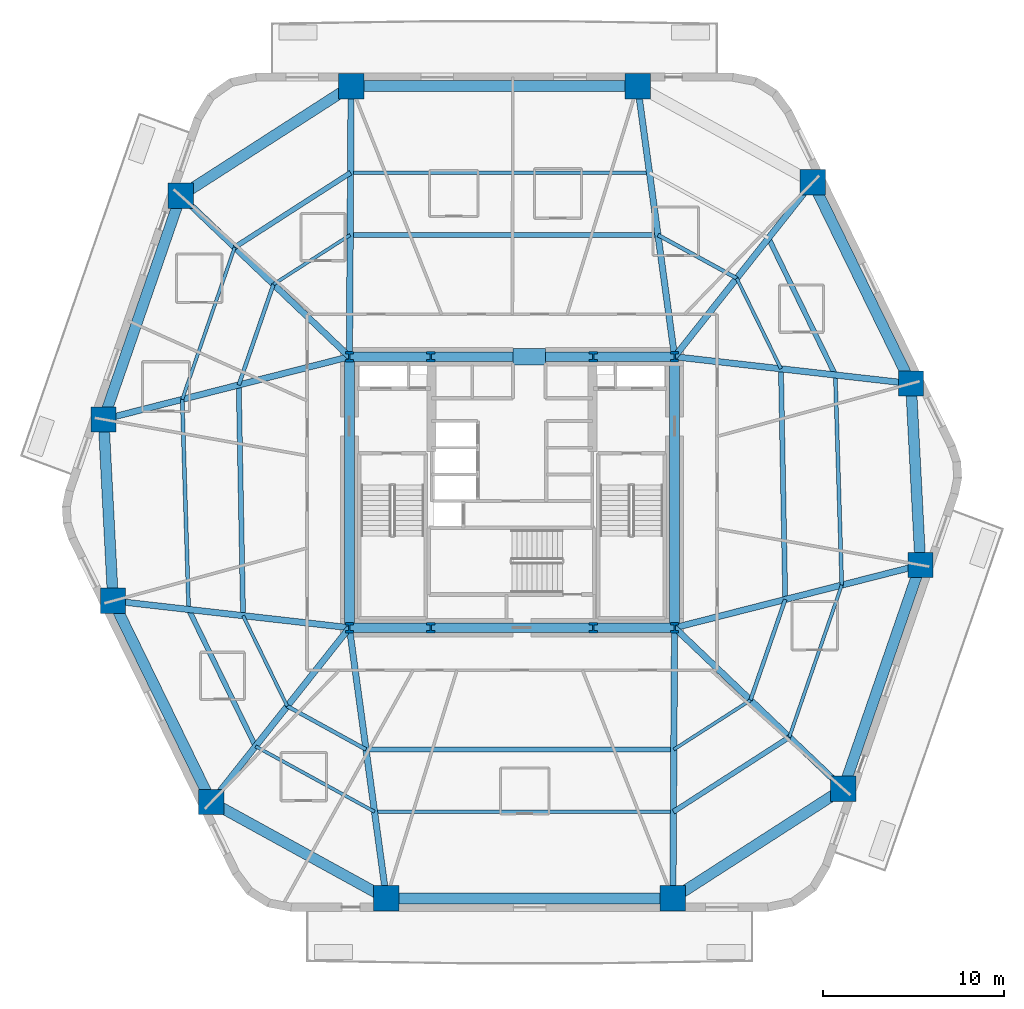
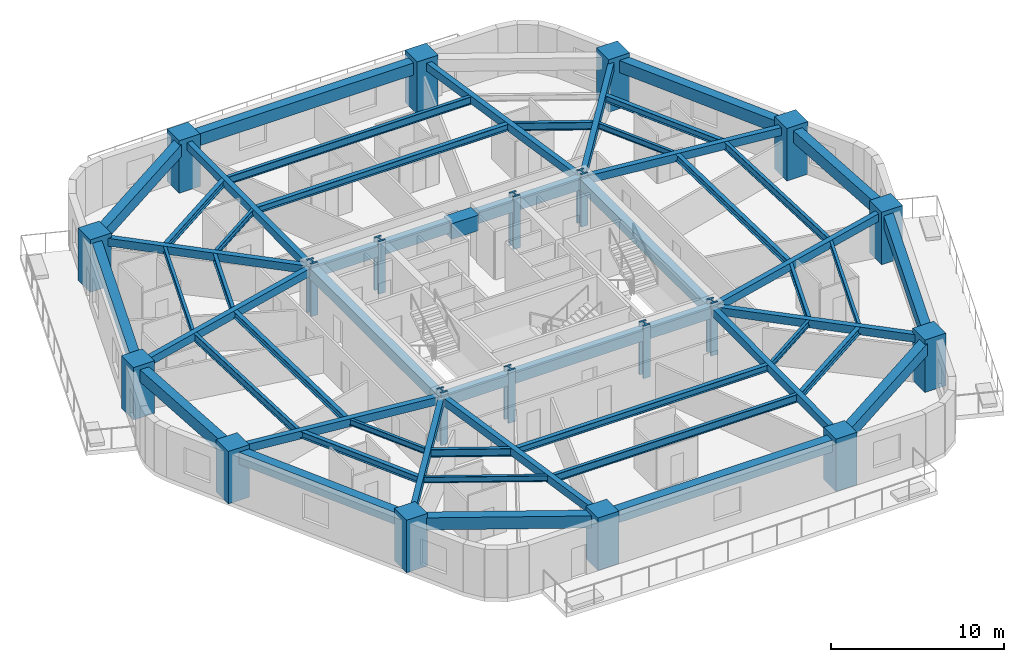
# One storey, part 1 of 10: 55 beams, 20 columns.
"""IFC4 building model written with IfcOpenShell, lengths in metres."""

from ifc_helpers import new_model, si_unit, direction, frame, origin, origin_2d, place, context, subcontext, project, spatial, rectangle, i_section, extrude, material, material_profile, profile_set, type_object, element, save


model = new_model("IFC4")

# Units and contexts
model_context = context("Model", 3, precision=1e-05, world=origin(), true_north=direction((0.0, 1.0)))
body_context = subcontext(model_context, "Body", "Model", "MODEL_VIEW")
ifc_project = project(units=[si_unit("LENGTHUNIT", "METRE"), si_unit("AREAUNIT", "SQUARE_METRE"), si_unit("VOLUMEUNIT", "CUBIC_METRE"), si_unit("PLANEANGLEUNIT", "RADIAN"), si_unit("MASSUNIT", "GRAM", prefix="KILO")], contexts=[model_context])

# Site, building, storey
site_placement = place(None, origin())
site = spatial("IfcSite", under=ifc_project, at=site_placement, CompositionType="ELEMENT")
building_placement = place(site_placement, origin())
building = spatial("IfcBuilding", under=site, at=building_placement, Name="Kilnhurst Terrace Hotel", CompositionType="ELEMENT")
storey_placement = place(building_placement, frame((0.0, 0.0, 74.89990234375)))
storey = spatial("IfcBuildingStorey", under=building, at=storey_placement, Name="L17", CompositionType="ELEMENT", Elevation=74.89990234375)

# Columns
ifc_material_1 = material(Name="Concrete C80/95", Category="concrete")
ifc_material_profile_1 = material_profile(ifc_material_1, rectangle(XDim=1.39990234375, YDim=1.39990234375, at=origin_2d()), Name="RC1400X1400")
ifc_profile_set_1 = profile_set([ifc_material_profile_1], Name="Concrete C80/95")
column_type_1 = type_object("IfcColumnType", Name="COL-RC-1400", PredefinedType="COLUMN", material=ifc_profile_set_1)
for number, where, z_axis, x_axis, name in (
    (1, (-6.955078125, -22.47998046875, 0.0), (0.0, 0.0, 1.0), (1.0, 0.0, 0.0), "L17 Structural Column PC-F11"),
    (2, (8.905029296875, -22.47998046875, 0.0), (0.0, 0.0, 1.0), (1.0, 0.0, 0.0), "L17 Structural Column PC-F12"),
    (3, (18.337890625, -16.410888671875, 0.0), (0.0, 0.0, 1.0), (1.0, 0.0, 0.0), "L17 Structural Column PC-F21"),
    (4, (22.60888671875, -4.029052734375, 0.0), (0.0, 0.0, 1.0), (1.0, 0.0, 0.0), "L17 Structural Column PC-F22"),
    (5, (22.083984375, 6.013916015625, 0.0), (0.0, 0.0, 1.0), (1.0, 0.0, 0.0), "L17 Structural Column PC-F31"),
    (6, (16.64306640625, 17.152099609375, 0.0), (0.0, 0.0, 1.0), (1.0, 0.0, 0.0), "L17 Structural Column PC-F32"),
    (7, (6.955078125, 22.47998046875, 0.0), (0.0, 0.0, 1.0), (1.0, 0.0, 0.0), "L17 Structural Column PC-F41"),
    (8, (-8.905029296875, 22.47998046875, 0.0), (0.0, 0.0, 1.0), (1.0, 0.0, 0.0), "L17 Structural Column PC-F42"),
    (9, (-18.337890625, 16.410888671875, 0.0), (0.0, 0.0, 1.0), (1.0, 0.0, 0.0), "L17 Structural Column PC-F51"),
    (10, (-22.60888671875, 4.029052734375, 0.0), (0.0, 0.0, 1.0), (1.0, 0.0, 0.0), "L17 Structural Column PC-F52"),
    (11, (-22.083984375, -6.013916015625, 0.0), (0.0, 0.0, 1.0), (1.0, 0.0, 0.0), "L17 Structural Column PC-F61"),
    (12, (-16.64306640625, -17.152099609375, 0.0), (0.0, 0.0, 1.0), (1.0, 0.0, 0.0), "L17 Structural Column PC-F62"),
):
    element("IfcColumn", number, at=place(storey_placement, frame(where, z_axis=z_axis, x_axis=x_axis)), inside=storey, type_object=column_type_1, Name=name, PredefinedType="COLUMN", context=body_context, shape_type="SweptSolid", body=[
        extrude(rectangle(XDim=1.39990234375, YDim=1.39990234375, at=origin_2d()), origin(), (0.0, 0.0, 1.0), 3.7001953125),
    ])
ifc_material_2 = material(Name="Steel ASTM A992 Grade 50", Category="steel")
ifc_material_profile_2 = material_profile(ifc_material_2, i_section(OverallWidth=0.454345703125, OverallDepth=0.569091796875, WebThickness=0.077880859375, FlangeThickness=0.124755859375, at=origin_2d()), Name="W14X730")
ifc_profile_set_2 = profile_set([ifc_material_profile_2], Name="Steel ASTM A992 Grade 50")
column_type_2 = type_object("IfcColumnType", Name="COL-STL-W14X730", PredefinedType="COLUMN", material=ifc_profile_set_2)
for number, where, z_axis, x_axis, name in (
    (13, (-9.0, -7.5, 0.0), (0.0, 0.0, 1.0), (1.0, 0.0, 0.0), "L17 Structural Column CC-SW"),
    (14, (-4.5, -7.5, 0.0), (0.0, 0.0, 1.0), (1.0, 0.0, 0.0), "L17 Structural Column CC-SC1"),
    (15, (4.5, -7.5, 0.0), (0.0, 0.0, 1.0), (1.0, 0.0, 0.0), "L17 Structural Column CC-SC2"),
    (16, (9.0, -7.5, 0.0), (0.0, 0.0, 1.0), (1.0, 0.0, 0.0), "L17 Structural Column CC-SE"),
    (17, (9.0, 7.5, 0.0), (0.0, 0.0, 1.0), (1.0, 0.0, 0.0), "L17 Structural Column CC-NE"),
    (18, (4.5, 7.5, 0.0), (0.0, 0.0, 1.0), (1.0, 0.0, 0.0), "L17 Structural Column CC-NC2"),
    (19, (-4.5, 7.5, 0.0), (0.0, 0.0, 1.0), (1.0, 0.0, 0.0), "L17 Structural Column CC-NC1"),
    (20, (-9.0, 7.5, 0.0), (0.0, 0.0, 1.0), (1.0, 0.0, 0.0), "L17 Structural Column CC-NW"),
):
    element("IfcColumn", number, at=place(storey_placement, frame(where, z_axis=z_axis, x_axis=x_axis)), inside=storey, type_object=column_type_2, Name=name, PredefinedType="COLUMN", context=body_context, shape_type="SweptSolid", body=[
        extrude(i_section(OverallWidth=0.454345703125, OverallDepth=0.569091796875, WebThickness=0.077880859375, FlangeThickness=0.124755859375, at=origin_2d()), origin(), (0.0, 0.0, 1.0), 3.7001953125),
    ])

# Beams
ifc_material_3 = material(Name="Concrete C50/60", Category="concrete")
ifc_material_profile_3 = material_profile(ifc_material_3, rectangle(XDim=0.35009765625, YDim=0.550048828125, at=origin_2d()), Name="RC350X550")
ifc_profile_set_3 = profile_set([ifc_material_profile_3], Name="Concrete C50/60")
beam_type_1 = type_object("IfcBeamType", Name="BM-RAD-350X550", PredefinedType="BEAM", material=ifc_profile_set_3)
beam_1_placement = place(storey_placement, frame((-9.0, -7.5, 3.125), z_axis=(0.13525588246, -0.990810701527, 0.0), x_axis=(0.990810701527, 0.13525588246, 0.0)))
element("IfcBeam", 21, at=beam_1_placement, inside=storey, type_object=beam_type_1, Name="L17 Radial Floor Beam 1", PredefinedType="BEAM", context=body_context, shape_type="SweptSolid", body=[
    extrude(rectangle(XDim=0.35009765625, YDim=0.550048828125, at=origin_2d()), origin(), (0.0, 0.0, 1.0), 15.118896484375),
])
beam_2_placement = place(storey_placement, frame((9.0, -7.5, 3.125), z_axis=(-0.006339714179, -0.99997990381, 0.0), x_axis=(0.99997990381, -0.006339714179, 0.0)))
element("IfcBeam", 22, at=beam_2_placement, inside=storey, type_object=beam_type_1, Name="L17 Radial Floor Beam 2", PredefinedType="BEAM", context=body_context, shape_type="SweptSolid", body=[
    extrude(rectangle(XDim=0.35009765625, YDim=0.550048828125, at=origin_2d()), origin(), (0.0, 0.0, 1.0), 14.980224609375),
])
beam_3_placement = place(storey_placement, frame((9.0, -7.5, 3.125), z_axis=(0.723454302813, -0.690372270403, 0.0), x_axis=(0.690372270403, 0.723454302813, 0.0)))
element("IfcBeam", 23, at=beam_3_placement, inside=storey, type_object=beam_type_1, Name="L17 Radial Floor Beam 3", PredefinedType="BEAM", context=body_context, shape_type="SweptSolid", body=[
    extrude(rectangle(XDim=0.35009765625, YDim=0.550048828125, at=origin_2d()), origin(), (0.0, 0.0, 1.0), 12.907470703125),
])
beam_4_placement = place(storey_placement, frame((9.0, -7.5, 3.125), z_axis=(0.968980179812, 0.247138445273, 0.0), x_axis=(-0.247138445273, 0.968980179812, 0.0)))
element("IfcBeam", 24, at=beam_4_placement, inside=storey, type_object=beam_type_1, Name="L17 Radial Floor Beam 4", PredefinedType="BEAM", context=body_context, shape_type="SweptSolid", body=[
    extrude(rectangle(XDim=0.35009765625, YDim=0.550048828125, at=origin_2d()), origin(), (0.0, 0.0, 1.0), 14.04443359375),
])
beam_5_placement = place(storey_placement, frame((9.0, 7.5, 3.125), z_axis=(0.993611493249, -0.112854776075, 0.0), x_axis=(0.112854776075, 0.993611493249, 0.0)))
element("IfcBeam", 25, at=beam_5_placement, inside=storey, type_object=beam_type_1, Name="L17 Radial Floor Beam 5", PredefinedType="BEAM", context=body_context, shape_type="SweptSolid", body=[
    extrude(rectangle(XDim=0.35009765625, YDim=0.550048828125, at=origin_2d()), origin(), (0.0, 0.0, 1.0), 13.168212890625),
])
beam_6_placement = place(storey_placement, frame((9.0, 7.5, 3.125), z_axis=(0.62079385707, 0.783973843329, 0.0), x_axis=(-0.783973843329, 0.62079385707, 0.0)))
element("IfcBeam", 26, at=beam_6_placement, inside=storey, type_object=beam_type_1, Name="L17 Radial Floor Beam 6", PredefinedType="BEAM", context=body_context, shape_type="SweptSolid", body=[
    extrude(rectangle(XDim=0.35009765625, YDim=0.550048828125, at=origin_2d()), origin(), (0.0, 0.0, 1.0), 12.311767578125),
])
beam_7_placement = place(storey_placement, frame((9.0, 7.5, 3.125), z_axis=(-0.13525588246, 0.990810701527, 0.0), x_axis=(-0.990810701527, -0.13525588246, 0.0)))
element("IfcBeam", 27, at=beam_7_placement, inside=storey, type_object=beam_type_1, Name="L17 Radial Floor Beam 7", PredefinedType="BEAM", context=body_context, shape_type="SweptSolid", body=[
    extrude(rectangle(XDim=0.35009765625, YDim=0.550048828125, at=origin_2d()), origin(), (0.0, 0.0, 1.0), 15.118896484375),
])
beam_8_placement = place(storey_placement, frame((-9.0, 7.5, 3.125), z_axis=(0.006339714179, 0.99997990381, 0.0), x_axis=(-0.99997990381, 0.006339714179, 0.0)))
element("IfcBeam", 28, at=beam_8_placement, inside=storey, type_object=beam_type_1, Name="L17 Radial Floor Beam 8", PredefinedType="BEAM", context=body_context, shape_type="SweptSolid", body=[
    extrude(rectangle(XDim=0.35009765625, YDim=0.550048828125, at=origin_2d()), origin(), (0.0, 0.0, 1.0), 14.980224609375),
])
beam_9_placement = place(storey_placement, frame((-9.0, 7.5, 3.125), z_axis=(-0.723454302813, 0.690372270403, 0.0), x_axis=(-0.690372270403, -0.723454302813, 0.0)))
element("IfcBeam", 29, at=beam_9_placement, inside=storey, type_object=beam_type_1, Name="L17 Radial Floor Beam 9", PredefinedType="BEAM", context=body_context, shape_type="SweptSolid", body=[
    extrude(rectangle(XDim=0.35009765625, YDim=0.550048828125, at=origin_2d()), origin(), (0.0, 0.0, 1.0), 12.907470703125),
])
beam_10_placement = place(storey_placement, frame((-9.0, 7.5, 3.125), z_axis=(-0.968980179812, -0.247138445273, 0.0), x_axis=(0.247138445273, -0.968980179812, 0.0)))
element("IfcBeam", 30, at=beam_10_placement, inside=storey, type_object=beam_type_1, Name="L17 Radial Floor Beam 10", PredefinedType="BEAM", context=body_context, shape_type="SweptSolid", body=[
    extrude(rectangle(XDim=0.35009765625, YDim=0.550048828125, at=origin_2d()), origin(), (0.0, 0.0, 1.0), 14.04443359375),
])
beam_11_placement = place(storey_placement, frame((-9.0, -7.5, 3.125), z_axis=(-0.993611493249, 0.112854776075, 0.0), x_axis=(-0.112854776075, -0.993611493249, 0.0)))
element("IfcBeam", 31, at=beam_11_placement, inside=storey, type_object=beam_type_1, Name="L17 Radial Floor Beam 11", PredefinedType="BEAM", context=body_context, shape_type="SweptSolid", body=[
    extrude(rectangle(XDim=0.35009765625, YDim=0.550048828125, at=origin_2d()), origin(), (0.0, 0.0, 1.0), 13.168212890625),
])
beam_12_placement = place(storey_placement, frame((-9.0, -7.5, 3.125), z_axis=(-0.62079385707, -0.783973843329, 0.0), x_axis=(0.783973843329, -0.62079385707, 0.0)))
element("IfcBeam", 32, at=beam_12_placement, inside=storey, type_object=beam_type_1, Name="L17 Radial Floor Beam 12", PredefinedType="BEAM", context=body_context, shape_type="SweptSolid", body=[
    extrude(rectangle(XDim=0.35009765625, YDim=0.550048828125, at=origin_2d()), origin(), (0.0, 0.0, 1.0), 12.311767578125),
])
ifc_material_profile_4 = material_profile(ifc_material_3, rectangle(XDim=0.550048828125, YDim=0.75, at=origin_2d()), Name="RC550X750")
ifc_profile_set_4 = profile_set([ifc_material_profile_4], Name="Concrete C50/60")
beam_type_2 = type_object("IfcBeamType", Name="BM-SPN-550X750", PredefinedType="SPANDREL", material=ifc_profile_set_4)
beam_13_placement = place(storey_placement, frame((-9.0, 7.5, 3.025146484375), z_axis=(1.0, 0.0, 0.0), x_axis=(0.0, 1.0, 0.0)))
element("IfcBeam", 33, at=beam_13_placement, inside=storey, type_object=beam_type_2, Name="L17 Core Tie Beam CC-NW to CC-NC1", PredefinedType="SPANDREL", context=body_context, shape_type="SweptSolid", body=[
    extrude(rectangle(XDim=0.550048828125, YDim=0.75, at=origin_2d()), origin(), (0.0, 0.0, 1.0), 4.5),
])
beam_14_placement = place(storey_placement, frame((-4.5, 7.5, 3.025146484375), z_axis=(1.0, 0.0, 0.0), x_axis=(0.0, 1.0, 0.0)))
element("IfcBeam", 34, at=beam_14_placement, inside=storey, type_object=beam_type_2, Name="L17 Core Tie Beam CC-NC1 to CC-NC2", PredefinedType="SPANDREL", context=body_context, shape_type="SweptSolid", body=[
    extrude(rectangle(XDim=0.550048828125, YDim=0.75, at=origin_2d()), origin(), (0.0, 0.0, 1.0), 9.0),
])
for number, where, z_axis, x_axis, name in (
    (35, (4.5, 7.5, 3.025146484375), (1.0, 0.0, 0.0), (0.0, 1.0, 0.0), "L17 Core Tie Beam CC-NC2 to CC-NE"),
    (36, (-9.0, -7.5, 3.025146484375), (1.0, 0.0, 0.0), (0.0, 1.0, 0.0), "L17 Core Tie Beam CC-SW to CC-SC1"),
):
    element("IfcBeam", number, at=place(storey_placement, frame(where, z_axis=z_axis, x_axis=x_axis)), inside=storey, type_object=beam_type_2, Name=name, PredefinedType="SPANDREL", context=body_context, shape_type="SweptSolid", body=[
        extrude(rectangle(XDim=0.550048828125, YDim=0.75, at=origin_2d()), origin(), (0.0, 0.0, 1.0), 4.5),
    ])
beam_15_placement = place(storey_placement, frame((-4.5, -7.5, 3.025146484375), z_axis=(1.0, 0.0, 0.0), x_axis=(0.0, 1.0, 0.0)))
element("IfcBeam", 37, at=beam_15_placement, inside=storey, type_object=beam_type_2, Name="L17 Core Tie Beam CC-SC1 to CC-SC2", PredefinedType="SPANDREL", context=body_context, shape_type="SweptSolid", body=[
    extrude(rectangle(XDim=0.550048828125, YDim=0.75, at=origin_2d()), origin(), (0.0, 0.0, 1.0), 9.0),
])
beam_16_placement = place(storey_placement, frame((4.5, -7.5, 3.025146484375), z_axis=(1.0, 0.0, 0.0), x_axis=(0.0, 1.0, 0.0)))
element("IfcBeam", 38, at=beam_16_placement, inside=storey, type_object=beam_type_2, Name="L17 Core Tie Beam CC-SC2 to CC-SE", PredefinedType="SPANDREL", context=body_context, shape_type="SweptSolid", body=[
    extrude(rectangle(XDim=0.550048828125, YDim=0.75, at=origin_2d()), origin(), (0.0, 0.0, 1.0), 4.5),
])
for number, where, z_axis, x_axis, name in (
    (39, (-9.0, -7.5, 3.025146484375), (0.0, 1.0, 0.0), (-1.0, 0.0, 0.0), "L17 Core Tie Beam CC-SW to CC-NW"),
    (40, (9.0, -7.5, 3.025146484375), (0.0, 1.0, 0.0), (-1.0, 0.0, 0.0), "L17 Core Tie Beam CC-SE to CC-NE"),
):
    element("IfcBeam", number, at=place(storey_placement, frame(where, z_axis=z_axis, x_axis=x_axis)), inside=storey, type_object=beam_type_2, Name=name, PredefinedType="SPANDREL", context=body_context, shape_type="SweptSolid", body=[
        extrude(rectangle(XDim=0.550048828125, YDim=0.75, at=origin_2d()), origin(), (0.0, 0.0, 1.0), 15.0),
    ])
ifc_material_profile_5 = material_profile(ifc_material_3, rectangle(XDim=0.60009765625, YDim=0.85009765625, at=origin_2d()), Name="RC600X850")
ifc_profile_set_5 = profile_set([ifc_material_profile_5], Name="Concrete C50/60")
beam_type_3 = type_object("IfcBeamType", Name="BM-SPN-600X850", PredefinedType="SPANDREL", material=ifc_profile_set_5)
beam_17_placement = place(storey_placement, frame((-6.955078125, -22.47998046875, 2.97509765625), z_axis=(1.0, 0.0, 0.0), x_axis=(0.0, 1.0, 0.0)))
element("IfcBeam", 41, at=beam_17_placement, inside=storey, type_object=beam_type_3, Name="L17 Perimeter Spandrel Beam 1", PredefinedType="SPANDREL", context=body_context, shape_type="SweptSolid", body=[
    extrude(rectangle(XDim=0.60009765625, YDim=0.85009765625, at=origin_2d()), origin(), (0.0, 0.0, 1.0), 15.860107421875),
])
beam_18_placement = place(storey_placement, frame((8.905029296875, -22.47998046875, 2.97509765625), z_axis=(0.840971204873, 0.541079876335, 0.0), x_axis=(-0.541079876335, 0.840971204873, 0.0)))
element("IfcBeam", 42, at=beam_18_placement, inside=storey, type_object=beam_type_3, Name="L17 Perimeter Spandrel Beam 2", PredefinedType="SPANDREL", context=body_context, shape_type="SweptSolid", body=[
    extrude(rectangle(XDim=0.60009765625, YDim=0.85009765625, at=origin_2d()), origin(), (0.0, 0.0, 1.0), 11.216552734375),
])
beam_19_placement = place(storey_placement, frame((18.337890625, -16.410888671875, 2.97509765625), z_axis=(0.326086040191, 0.945340094565, 0.0), x_axis=(-0.945340094565, 0.326086040191, 0.0)))
element("IfcBeam", 43, at=beam_19_placement, inside=storey, type_object=beam_type_3, Name="L17 Perimeter Spandrel Beam 3", PredefinedType="SPANDREL", context=body_context, shape_type="SweptSolid", body=[
    extrude(rectangle(XDim=0.60009765625, YDim=0.85009765625, at=origin_2d()), origin(), (0.0, 0.0, 1.0), 13.09765625),
])
beam_20_placement = place(storey_placement, frame((22.60888671875, -4.029052734375, 2.97509765625), z_axis=(-0.052194414298, 0.998636942595, 0.0), x_axis=(-0.998636942595, -0.052194414298, 0.0)))
element("IfcBeam", 44, at=beam_20_placement, inside=storey, type_object=beam_type_3, Name="L17 Perimeter Spandrel Beam 4", PredefinedType="SPANDREL", context=body_context, shape_type="SweptSolid", body=[
    extrude(rectangle(XDim=0.60009765625, YDim=0.85009765625, at=origin_2d()), origin(), (0.0, 0.0, 1.0), 10.056640625),
])
beam_21_placement = place(storey_placement, frame((22.083984375, 6.013916015625, 2.97509765625), z_axis=(-0.438922573627, 0.898524888003, 0.0), x_axis=(-0.898524888003, -0.438922573627, 0.0)))
element("IfcBeam", 45, at=beam_21_placement, inside=storey, type_object=beam_type_3, Name="L17 Perimeter Spandrel Beam 5", PredefinedType="SPANDREL", context=body_context, shape_type="SweptSolid", body=[
    extrude(rectangle(XDim=0.60009765625, YDim=0.85009765625, at=origin_2d()), origin(), (0.0, 0.0, 1.0), 12.39599609375),
])
beam_22_placement = place(storey_placement, frame((6.955078125, 22.47998046875, 2.97509765625), z_axis=(-1.0, 0.0, 0.0), x_axis=(0.0, -1.0, 0.0)))
element("IfcBeam", 46, at=beam_22_placement, inside=storey, type_object=beam_type_3, Name="L17 Perimeter Spandrel Beam 7", PredefinedType="SPANDREL", context=body_context, shape_type="SweptSolid", body=[
    extrude(rectangle(XDim=0.60009765625, YDim=0.85009765625, at=origin_2d()), origin(), (0.0, 0.0, 1.0), 15.860107421875),
])
beam_23_placement = place(storey_placement, frame((-8.905029296875, 22.47998046875, 2.97509765625), z_axis=(-0.840971204873, -0.541079876335, 0.0), x_axis=(0.541079876335, -0.840971204873, 0.0)))
element("IfcBeam", 47, at=beam_23_placement, inside=storey, type_object=beam_type_3, Name="L17 Perimeter Spandrel Beam 8", PredefinedType="SPANDREL", context=body_context, shape_type="SweptSolid", body=[
    extrude(rectangle(XDim=0.60009765625, YDim=0.85009765625, at=origin_2d()), origin(), (0.0, 0.0, 1.0), 11.216552734375),
])
beam_24_placement = place(storey_placement, frame((-18.337890625, 16.410888671875, 2.97509765625), z_axis=(-0.326086040191, -0.945340094565, 0.0), x_axis=(0.945340094565, -0.326086040191, 0.0)))
element("IfcBeam", 48, at=beam_24_placement, inside=storey, type_object=beam_type_3, Name="L17 Perimeter Spandrel Beam 9", PredefinedType="SPANDREL", context=body_context, shape_type="SweptSolid", body=[
    extrude(rectangle(XDim=0.60009765625, YDim=0.85009765625, at=origin_2d()), origin(), (0.0, 0.0, 1.0), 13.09765625),
])
beam_25_placement = place(storey_placement, frame((-22.60888671875, 4.029052734375, 2.97509765625), z_axis=(0.052194414298, -0.998636942595, 0.0), x_axis=(0.998636942595, 0.052194414298, 0.0)))
element("IfcBeam", 49, at=beam_25_placement, inside=storey, type_object=beam_type_3, Name="L17 Perimeter Spandrel Beam 10", PredefinedType="SPANDREL", context=body_context, shape_type="SweptSolid", body=[
    extrude(rectangle(XDim=0.60009765625, YDim=0.85009765625, at=origin_2d()), origin(), (0.0, 0.0, 1.0), 10.056640625),
])
beam_26_placement = place(storey_placement, frame((-22.083984375, -6.013916015625, 2.97509765625), z_axis=(0.438922573627, -0.898524888003, 0.0), x_axis=(0.898524888003, 0.438922573627, 0.0)))
element("IfcBeam", 50, at=beam_26_placement, inside=storey, type_object=beam_type_3, Name="L17 Perimeter Spandrel Beam 11", PredefinedType="SPANDREL", context=body_context, shape_type="SweptSolid", body=[
    extrude(rectangle(XDim=0.60009765625, YDim=0.85009765625, at=origin_2d()), origin(), (0.0, 0.0, 1.0), 12.39599609375),
])
beam_27_placement = place(storey_placement, frame((-16.64306640625, -17.152099609375, 2.97509765625), z_axis=(0.876235488803, -0.481883147829, 0.0), x_axis=(0.481883147829, 0.876235488803, 0.0)))
element("IfcBeam", 51, at=beam_27_placement, inside=storey, type_object=beam_type_3, Name="L17 Perimeter Spandrel Beam 12", PredefinedType="SPANDREL", context=body_context, shape_type="SweptSolid", body=[
    extrude(rectangle(XDim=0.60009765625, YDim=0.85009765625, at=origin_2d()), origin(), (0.0, 0.0, 1.0), 11.056396484375),
])
ifc_material_profile_6 = material_profile(ifc_material_2, i_section(OverallWidth=0.180908203125, OverallDepth=0.417236328125, WebThickness=0.010986328125, FlangeThickness=0.018310546875, at=origin_2d()), Name="W16X57")
ifc_profile_set_6 = profile_set([ifc_material_profile_6], Name="Steel ASTM A992 Grade 50")
beam_type_4 = type_object("IfcBeamType", Name="JST-STL-W16X57", PredefinedType="JOIST", material=ifc_profile_set_6)
for number, where, z_axis, x_axis, name in (
    (52, (15.349853515625, -13.5595703125, 3.191162109375), (0.326078536201, 0.945342682961, 0.0), (-0.945342682961, 0.326078536201, 0.0), "L17 Secondary Floor Steel Joist OUT.3"),
    (53, (-15.349853515625, 13.5595703125, 3.191162109375), (-0.326078536201, -0.945342682961, 0.0), (0.945342682961, -0.326078536201, 0.0), "L17 Secondary Floor Steel Joist OUT.9"),
):
    element("IfcBeam", number, at=place(storey_placement, frame(where, z_axis=z_axis, x_axis=x_axis)), inside=storey, type_object=beam_type_4, Name=name, PredefinedType="JOIST", context=body_context, shape_type="SweptSolid", body=[
        extrude(i_section(OverallWidth=0.180908203125, OverallDepth=0.417236328125, WebThickness=0.010986328125, FlangeThickness=0.018310546875, at=origin_2d()), origin(), (0.0, 0.0, 1.0), 8.90673828125),
    ])
beam_28_placement = place(storey_placement, frame((-14.197265625, -14.0634765625, 3.191162109375), z_axis=(0.876246073632, -0.481863900334, 0.0), x_axis=(0.481863900334, 0.876246073632, 0.0)))
element("IfcBeam", 54, at=beam_28_placement, inside=storey, type_object=beam_type_4, Name="L17 Secondary Floor Steel Joist OUT.12", PredefinedType="JOIST", context=body_context, shape_type="SweptSolid", body=[
    extrude(i_section(OverallWidth=0.180908203125, OverallDepth=0.417236328125, WebThickness=0.010986328125, FlangeThickness=0.018310546875, at=origin_2d()), origin(), (0.0, 0.0, 1.0), 7.518310546875),
])
beam_29_placement = place(storey_placement, frame((8.957275390625, -14.240966796875, 3.191162109375), z_axis=(0.840988265896, 0.541053358389, 0.0), x_axis=(-0.541053358389, 0.840988265896, 0.0)))
element("IfcBeam", 55, at=beam_29_placement, inside=storey, type_object=beam_type_4, Name="L17 Secondary Floor Steel Joist IN.2", PredefinedType="JOIST", context=body_context, shape_type="SweptSolid", body=[
    extrude(i_section(OverallWidth=0.180908203125, OverallDepth=0.417236328125, WebThickness=0.010986328125, FlangeThickness=0.018310546875, at=origin_2d()), origin(), (0.0, 0.0, 1.0), 5.04736328125),
])
beam_30_placement = place(storey_placement, frame((14.8876953125, 6.831298828125, 3.191162109375), z_axis=(-0.438896112695, 0.898537813484, 0.0), x_axis=(-0.898537813484, -0.438896112695, 0.0)))
element("IfcBeam", 56, at=beam_30_placement, inside=storey, type_object=beam_type_4, Name="L17 Secondary Floor Steel Joist IN.5", PredefinedType="JOIST", context=body_context, shape_type="SweptSolid", body=[
    extrude(i_section(OverallWidth=0.180908203125, OverallDepth=0.417236328125, WebThickness=0.010986328125, FlangeThickness=0.018310546875, at=origin_2d()), origin(), (0.0, 0.0, 1.0), 5.578125),
])
beam_31_placement = place(storey_placement, frame((-8.957275390625, 14.240966796875, 3.191162109375), z_axis=(-0.840988265896, -0.541053358389, 0.0), x_axis=(0.541053358389, -0.840988265896, 0.0)))
element("IfcBeam", 57, at=beam_31_placement, inside=storey, type_object=beam_type_4, Name="L17 Secondary Floor Steel Joist IN.8", PredefinedType="JOIST", context=body_context, shape_type="SweptSolid", body=[
    extrude(i_section(OverallWidth=0.180908203125, OverallDepth=0.417236328125, WebThickness=0.010986328125, FlangeThickness=0.018310546875, at=origin_2d()), origin(), (0.0, 0.0, 1.0), 5.04736328125),
])
beam_32_placement = place(storey_placement, frame((-14.8876953125, -6.831298828125, 3.191162109375), z_axis=(0.438896112695, -0.898537813484, 0.0), x_axis=(0.898537813484, 0.438896112695, 0.0)))
element("IfcBeam", 58, at=beam_32_placement, inside=storey, type_object=beam_type_4, Name="L17 Secondary Floor Steel Joist IN.11", PredefinedType="JOIST", context=body_context, shape_type="SweptSolid", body=[
    extrude(i_section(OverallWidth=0.180908203125, OverallDepth=0.417236328125, WebThickness=0.010986328125, FlangeThickness=0.018310546875, at=origin_2d()), origin(), (0.0, 0.0, 1.0), 5.578125),
])
ifc_material_profile_7 = material_profile(ifc_material_2, i_section(OverallWidth=0.279296875, OverallDepth=0.462890625, WebThickness=0.0107421875, FlangeThickness=0.017333984375, at=origin_2d()), Name="W18X76")
ifc_profile_set_7 = profile_set([ifc_material_profile_7], Name="Steel ASTM A992 Grade 50")
beam_type_5 = type_object("IfcBeamType", Name="JST-STL-W18X76", PredefinedType="JOIST", material=ifc_profile_set_7)
beam_33_placement = place(storey_placement, frame((8.935302734375, -17.686279296875, 3.168212890625), z_axis=(0.840995388529, 0.54104228714, 0.0), x_axis=(-0.54104228714, 0.840995388529, 0.0)))
element("IfcBeam", 59, at=beam_33_placement, inside=storey, type_object=beam_type_5, Name="L17 Secondary Floor Steel Joist OUT.2", PredefinedType="JOIST", context=body_context, shape_type="SweptSolid", body=[
    extrude(i_section(OverallWidth=0.279296875, OverallDepth=0.462890625, WebThickness=0.0107421875, FlangeThickness=0.017333984375, at=origin_2d()), origin(), (0.0, 0.0, 1.0), 7.62744140625),
])
beam_34_placement = place(storey_placement, frame((17.897216796875, 6.489501953125, 3.168212890625), z_axis=(-0.438934275949, 0.898519171413, 0.0), x_axis=(-0.898519171413, -0.438934275949, 0.0)))
element("IfcBeam", 60, at=beam_34_placement, inside=storey, type_object=beam_type_5, Name="L17 Secondary Floor Steel Joist OUT.5", PredefinedType="JOIST", context=body_context, shape_type="SweptSolid", body=[
    extrude(i_section(OverallWidth=0.279296875, OverallDepth=0.462890625, WebThickness=0.0107421875, FlangeThickness=0.017333984375, at=origin_2d()), origin(), (0.0, 0.0, 1.0), 8.429443359375),
])
beam_35_placement = place(storey_placement, frame((-8.935302734375, 17.686279296875, 3.168212890625), z_axis=(-0.840995388529, -0.54104228714, 0.0), x_axis=(0.54104228714, -0.840995388529, 0.0)))
element("IfcBeam", 61, at=beam_35_placement, inside=storey, type_object=beam_type_5, Name="L17 Secondary Floor Steel Joist OUT.8", PredefinedType="JOIST", context=body_context, shape_type="SweptSolid", body=[
    extrude(i_section(OverallWidth=0.279296875, OverallDepth=0.462890625, WebThickness=0.0107421875, FlangeThickness=0.017333984375, at=origin_2d()), origin(), (0.0, 0.0, 1.0), 7.62744140625),
])
beam_36_placement = place(storey_placement, frame((-17.897216796875, -6.489501953125, 3.168212890625), z_axis=(0.438934275949, -0.898519171413, 0.0), x_axis=(0.898519171413, 0.438934275949, 0.0)))
element("IfcBeam", 62, at=beam_36_placement, inside=storey, type_object=beam_type_5, Name="L17 Secondary Floor Steel Joist OUT.11", PredefinedType="JOIST", context=body_context, shape_type="SweptSolid", body=[
    extrude(i_section(OverallWidth=0.279296875, OverallDepth=0.462890625, WebThickness=0.0107421875, FlangeThickness=0.017333984375, at=origin_2d()), origin(), (0.0, 0.0, 1.0), 8.429443359375),
])
beam_37_placement = place(storey_placement, frame((-8.079833984375, -14.240966796875, 3.168212890625), z_axis=(1.0, 0.0, 0.0), x_axis=(0.0, 1.0, 0.0)))
element("IfcBeam", 63, at=beam_37_placement, inside=storey, type_object=beam_type_5, Name="L17 Secondary Floor Steel Joist IN.1", PredefinedType="JOIST", context=body_context, shape_type="SweptSolid", body=[
    extrude(i_section(OverallWidth=0.279296875, OverallDepth=0.462890625, WebThickness=0.0107421875, FlangeThickness=0.017333984375, at=origin_2d()), origin(), (0.0, 0.0, 1.0), 17.037109375),
])
beam_38_placement = place(storey_placement, frame((15.1240234375, -5.93798828125, 3.168212890625), z_axis=(-0.018504373716, 0.999828779418, 0.0), x_axis=(-0.999828779418, -0.018504373716, 0.0)))
element("IfcBeam", 64, at=beam_38_placement, inside=storey, type_object=beam_type_5, Name="L17 Secondary Floor Steel Joist IN.4", PredefinedType="JOIST", context=body_context, shape_type="SweptSolid", body=[
    extrude(i_section(OverallWidth=0.279296875, OverallDepth=0.462890625, WebThickness=0.0107421875, FlangeThickness=0.017333984375, at=origin_2d()), origin(), (0.0, 0.0, 1.0), 12.771484375),
])
beam_39_placement = place(storey_placement, frame((8.079833984375, 14.240966796875, 3.168212890625), z_axis=(-1.0, 0.0, 0.0), x_axis=(0.0, -1.0, 0.0)))
element("IfcBeam", 65, at=beam_39_placement, inside=storey, type_object=beam_type_5, Name="L17 Secondary Floor Steel Joist IN.7", PredefinedType="JOIST", context=body_context, shape_type="SweptSolid", body=[
    extrude(i_section(OverallWidth=0.279296875, OverallDepth=0.462890625, WebThickness=0.0107421875, FlangeThickness=0.017333984375, at=origin_2d()), origin(), (0.0, 0.0, 1.0), 17.037109375),
])
beam_40_placement = place(storey_placement, frame((-15.1240234375, 5.93798828125, 3.168212890625), z_axis=(0.018504373716, -0.999828779418, 0.0), x_axis=(0.999828779418, 0.018504373716, 0.0)))
element("IfcBeam", 66, at=beam_40_placement, inside=storey, type_object=beam_type_5, Name="L17 Secondary Floor Steel Joist IN.10", PredefinedType="JOIST", context=body_context, shape_type="SweptSolid", body=[
    extrude(i_section(OverallWidth=0.279296875, OverallDepth=0.462890625, WebThickness=0.0107421875, FlangeThickness=0.017333984375, at=origin_2d()), origin(), (0.0, 0.0, 1.0), 12.771484375),
])
ifc_material_profile_8 = material_profile(ifc_material_2, i_section(OverallWidth=0.2138671875, OverallDepth=0.549072265625, WebThickness=0.0146484375, FlangeThickness=0.023681640625, at=origin_2d()), Name="W21X93")
ifc_profile_set_8 = profile_set([ifc_material_profile_8], Name="Steel ASTM A992 Grade 50")
beam_type_6 = type_object("IfcBeamType", Name="JST-STL-W21X93", PredefinedType="JOIST", material=ifc_profile_set_8)
beam_41_placement = place(storey_placement, frame((-7.609375, -17.686279296875, 3.125), z_axis=(1.0, 0.0, 0.0), x_axis=(0.0, 1.0, 0.0)))
element("IfcBeam", 67, at=beam_41_placement, inside=storey, type_object=beam_type_6, Name="L17 Secondary Floor Steel Joist OUT.1", PredefinedType="JOIST", context=body_context, shape_type="SweptSolid", body=[
    extrude(i_section(OverallWidth=0.2138671875, OverallDepth=0.549072265625, WebThickness=0.0146484375, FlangeThickness=0.023681640625, at=origin_2d()), origin(), (0.0, 0.0, 1.0), 16.544677734375),
])
beam_42_placement = place(storey_placement, frame((18.254150390625, -5.1396484375, 3.125), z_axis=(-0.030678559818, 0.999529302206, 0.0), x_axis=(-0.999529302206, -0.030678559818, 0.0)))
element("IfcBeam", 68, at=beam_42_placement, inside=storey, type_object=beam_type_6, Name="L17 Secondary Floor Steel Joist OUT.4", PredefinedType="JOIST", context=body_context, shape_type="SweptSolid", body=[
    extrude(i_section(OverallWidth=0.2138671875, OverallDepth=0.549072265625, WebThickness=0.0146484375, FlangeThickness=0.023681640625, at=origin_2d()), origin(), (0.0, 0.0, 1.0), 11.634521484375),
])
beam_43_placement = place(storey_placement, frame((7.609375, 17.686279296875, 3.125), z_axis=(-1.0, 0.0, 0.0), x_axis=(0.0, -1.0, 0.0)))
element("IfcBeam", 69, at=beam_43_placement, inside=storey, type_object=beam_type_6, Name="L17 Secondary Floor Steel Joist OUT.7", PredefinedType="JOIST", context=body_context, shape_type="SweptSolid", body=[
    extrude(i_section(OverallWidth=0.2138671875, OverallDepth=0.549072265625, WebThickness=0.0146484375, FlangeThickness=0.023681640625, at=origin_2d()), origin(), (0.0, 0.0, 1.0), 16.544677734375),
])
beam_44_placement = place(storey_placement, frame((-18.254150390625, 5.1396484375, 3.125), z_axis=(0.030678559818, -0.999529302206, 0.0), x_axis=(0.999529302206, 0.030678559818, 0.0)))
element("IfcBeam", 70, at=beam_44_placement, inside=storey, type_object=beam_type_6, Name="L17 Secondary Floor Steel Joist OUT.10", PredefinedType="JOIST", context=body_context, shape_type="SweptSolid", body=[
    extrude(i_section(OverallWidth=0.2138671875, OverallDepth=0.549072265625, WebThickness=0.0146484375, FlangeThickness=0.023681640625, at=origin_2d()), origin(), (0.0, 0.0, 1.0), 11.634521484375),
])
beam_45_placement = place(storey_placement, frame((13.2021484375, -11.510009765625, 3.125), z_axis=(0.326064720391, 0.945347448358, 0.0), x_axis=(-0.945347448358, 0.326064720391, 0.0)))
element("IfcBeam", 71, at=beam_45_placement, inside=storey, type_object=beam_type_6, Name="L17 Secondary Floor Steel Joist IN.3", PredefinedType="JOIST", context=body_context, shape_type="SweptSolid", body=[
    extrude(i_section(OverallWidth=0.2138671875, OverallDepth=0.549072265625, WebThickness=0.0146484375, FlangeThickness=0.023681640625, at=origin_2d()), origin(), (0.0, 0.0, 1.0), 5.89404296875),
])
beam_46_placement = place(storey_placement, frame((12.439453125, 11.843505859375, 3.125), z_axis=(-0.876243879955, 0.481867889408, 0.0), x_axis=(-0.481867889408, -0.876243879955, 0.0)))
element("IfcBeam", 72, at=beam_46_placement, inside=storey, type_object=beam_type_6, Name="L17 Secondary Floor Steel Joist IN.6", PredefinedType="JOIST", context=body_context, shape_type="SweptSolid", body=[
    extrude(i_section(OverallWidth=0.2138671875, OverallDepth=0.549072265625, WebThickness=0.0146484375, FlangeThickness=0.023681640625, at=origin_2d()), origin(), (0.0, 0.0, 1.0), 4.975341796875),
])
beam_47_placement = place(storey_placement, frame((-13.2021484375, 11.510009765625, 3.125), z_axis=(-0.326064720391, -0.945347448358, 0.0), x_axis=(0.945347448358, -0.326064720391, 0.0)))
element("IfcBeam", 73, at=beam_47_placement, inside=storey, type_object=beam_type_6, Name="L17 Secondary Floor Steel Joist IN.9", PredefinedType="JOIST", context=body_context, shape_type="SweptSolid", body=[
    extrude(i_section(OverallWidth=0.2138671875, OverallDepth=0.549072265625, WebThickness=0.0146484375, FlangeThickness=0.023681640625, at=origin_2d()), origin(), (0.0, 0.0, 1.0), 5.89404296875),
])
beam_48_placement = place(storey_placement, frame((-12.439453125, -11.843505859375, 3.125), z_axis=(0.876243879955, -0.481867889408, 0.0), x_axis=(0.481867889408, 0.876243879955, 0.0)))
element("IfcBeam", 74, at=beam_48_placement, inside=storey, type_object=beam_type_6, Name="L17 Secondary Floor Steel Joist IN.12", PredefinedType="JOIST", context=body_context, shape_type="SweptSolid", body=[
    extrude(i_section(OverallWidth=0.2138671875, OverallDepth=0.549072265625, WebThickness=0.0146484375, FlangeThickness=0.023681640625, at=origin_2d()), origin(), (0.0, 0.0, 1.0), 4.975341796875),
])
ifc_material_profile_9 = material_profile(ifc_material_1, rectangle(XDim=0.89990234375, YDim=1.10009765625, at=origin_2d()), Name="RC900X1100")
ifc_profile_set_9 = profile_set([ifc_material_profile_9], Name="Concrete C80/95")
beam_type_7 = type_object("IfcBeamType", Name="LNT-CB-900X1100", PredefinedType="LINTEL", material=ifc_profile_set_9)
beam_49_placement = place(storey_placement, frame((0.050048828125, 7.5, 2.85009765625), z_axis=(1.0, 0.0, 0.0), x_axis=(0.0, 1.0, 0.0)))
element("IfcBeam", 75, at=beam_49_placement, inside=storey, type_object=beam_type_7, Name="L17 North Core Coupling Link Beam", PredefinedType="LINTEL", context=body_context, shape_type="SweptSolid", body=[
    extrude(rectangle(XDim=0.89990234375, YDim=1.10009765625, at=origin_2d()), origin(), (0.0, 0.0, 1.0), 1.800048828125),
])

save(model, "model.ifc")
